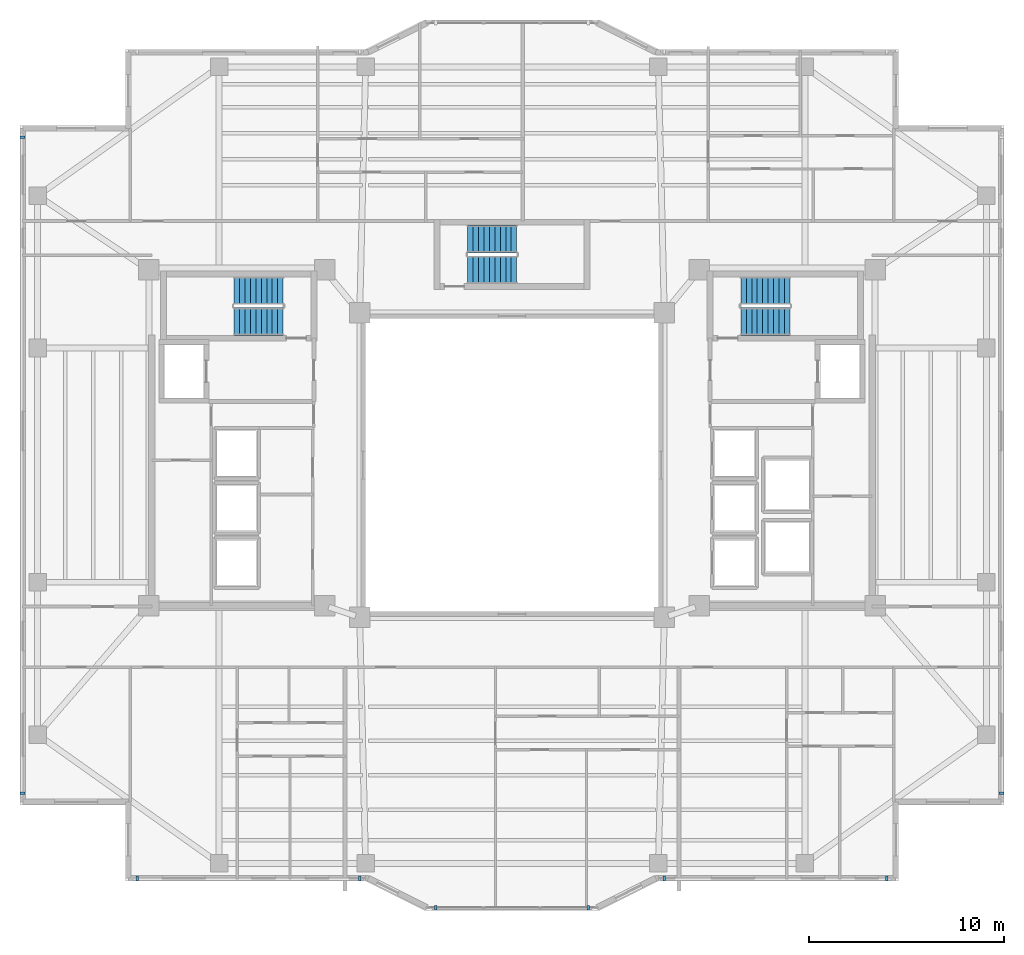
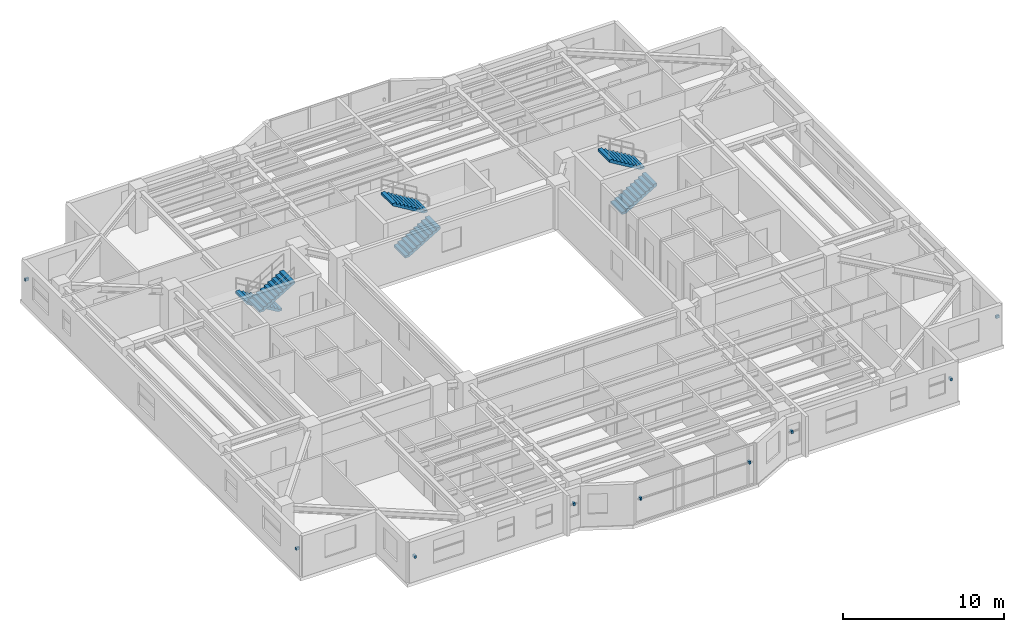
# One storey, part 11 of 15: 9 discrete accessories, 6 stair flights, 3 elements without a shape of their own.
"""IFC4 building model written with IfcOpenShell, lengths in metres."""

from ifc_helpers import new_model, si_unit, direction, frame, origin, origin_2d, place, context, subcontext, project, spatial, polyline, rectangle, outline, extrude, material, type_object, element, aggregate, save


model = new_model("IFC4")

# Units and contexts
model_context = context("Model", 3, precision=1e-05, world=origin(), true_north=direction((0.0, 1.0)))
body_context = subcontext(model_context, "Body", "Model", "MODEL_VIEW")
ifc_project = project(units=[si_unit("LENGTHUNIT", "METRE"), si_unit("AREAUNIT", "SQUARE_METRE"), si_unit("VOLUMEUNIT", "CUBIC_METRE"), si_unit("PLANEANGLEUNIT", "RADIAN"), si_unit("MASSUNIT", "GRAM", prefix="KILO")], contexts=[model_context])

# Site, building, storey
site_placement = place(None, origin())
site = spatial("IfcSite", under=ifc_project, at=site_placement, CompositionType="ELEMENT")
building_placement = place(site_placement, origin())
building = spatial("IfcBuilding", under=site, at=building_placement, Name="Tarnavaz Court Tower", CompositionType="ELEMENT")
storey_placement = place(building_placement, frame((0.0, 0.0, 159.39990234375)))
storey = spatial("IfcBuildingStorey", under=building, at=storey_placement, Name="L43", CompositionType="ELEMENT", Elevation=159.39990234375)

# Stair, stair flights
ifc_material_1 = material(Name="Concrete C40/50", Category="concrete")
stair_type = type_object("IfcStairType", Name="ST-TWR-20R", PredefinedType="HALF_TURN_STAIR", material=ifc_material_1)
stair_1_placement = place(storey_placement, origin())
stair_1 = element("IfcStair", 1, at=stair_1_placement, inside=storey, type_object=stair_type, Name="L43 West Core Pressurized Exit Stair ST-W1", PredefinedType="HALF_TURN_STAIR")
stair_flight_type = type_object("IfcStairFlightType", Name="SFL-RC-20R", PredefinedType="STRAIGHT", material=ifc_material_1)
stair_flight_1_placement = place(storey_placement, frame((-11.719970703125, 8.929931640625, 0.0), z_axis=(0.0, 0.0, 1.0), x_axis=(-1.0, 0.0, 0.0)))
stair_flight_1 = element("IfcStairFlight", 2, at=stair_flight_1_placement, type_object=stair_flight_type, Name="ST-W1 flight 1", NumberOfRisers=10, NumberOfTreads=9, PredefinedType="STRAIGHT", RiserHeight=0.1675, TreadLength=0.28, context=body_context, shape_type="SweptSolid", body=[
    extrude(outline(polyline([(0.0, 0.0), (0.0, 0.16748046875), (0.280029296875, 0.16748046875), (0.280029296875, 0.3349609375), (0.56005859375, 0.3349609375), (0.56005859375, 0.50244140625), (0.840087890625, 0.50244140625), (0.840087890625, 0.669921875), (1.1201171875, 0.669921875), (1.1201171875, 0.83740234375), (1.39990234375, 0.83740234375), (1.39990234375, 1.0048828125), (1.679931640625, 1.0048828125), (1.679931640625, 1.172607421875), (1.9599609375, 1.172607421875), (1.9599609375, 1.340087890625), (2.239990234375, 1.340087890625), (2.239990234375, 1.507568359375), (2.52001953125, 1.507568359375), (2.52001953125, 1.675048828125), (2.52001953125, 1.332763671875), (0.2919921875, 0.0), (0.0, 0.0)])), frame((0.0, 0.7099609375, 0.0), z_axis=(0.0, -1.0, 0.0), x_axis=(1.0, 0.0, 0.0)), (0.0, 0.0, 1.0), 1.419921875),
])
stair_flight_2_placement = place(storey_placement, frame((-14.239990234375, 7.360107421875, 1.675048828125), z_axis=(0.0, 0.0, 1.0), x_axis=(1.0, 0.0, 0.0)))
stair_flight_2 = element("IfcStairFlight", 3, at=stair_flight_2_placement, type_object=stair_flight_type, Name="ST-W1 flight 2", NumberOfRisers=10, NumberOfTreads=9, PredefinedType="STRAIGHT", RiserHeight=0.1675, TreadLength=0.28, context=body_context, shape_type="SweptSolid", body=[
    extrude(outline(polyline([(0.0, 0.0), (0.0, 0.16748046875), (0.280029296875, 0.16748046875), (0.280029296875, 0.3349609375), (0.56005859375, 0.3349609375), (0.56005859375, 0.50244140625), (0.840087890625, 0.50244140625), (0.840087890625, 0.669921875), (1.1201171875, 0.669921875), (1.1201171875, 0.83740234375), (1.39990234375, 0.83740234375), (1.39990234375, 1.0048828125), (1.679931640625, 1.0048828125), (1.679931640625, 1.172607421875), (1.9599609375, 1.172607421875), (1.9599609375, 1.340087890625), (2.239990234375, 1.340087890625), (2.239990234375, 1.507568359375), (2.52001953125, 1.507568359375), (2.52001953125, 1.675048828125), (2.52001953125, 1.332763671875), (0.2919921875, 0.0), (0.0, 0.0)])), frame((0.0, 0.7099609375, 0.0), z_axis=(0.0, -1.0, 0.0), x_axis=(1.0, 0.0, 0.0)), (0.0, 0.0, 1.0), 1.419921875),
])
aggregate(stair_1, [stair_flight_1, stair_flight_2])

stair_2_placement = place(storey_placement, origin())
stair_2 = element("IfcStair", 4, at=stair_2_placement, inside=storey, type_object=stair_type, Name="L43 East Core Pressurized Exit Stair ST-E1", PredefinedType="HALF_TURN_STAIR")
stair_flight_3_placement = place(storey_placement, frame((11.719970703125, 7.360107421875, 0.0), z_axis=(0.0, 0.0, 1.0), x_axis=(1.0, 0.0, 0.0)))
stair_flight_3 = element("IfcStairFlight", 5, at=stair_flight_3_placement, type_object=stair_flight_type, Name="ST-E1 flight 1", NumberOfRisers=10, NumberOfTreads=9, PredefinedType="STRAIGHT", RiserHeight=0.1675, TreadLength=0.28, context=body_context, shape_type="SweptSolid", body=[
    extrude(outline(polyline([(0.0, 0.0), (0.0, 0.16748046875), (0.280029296875, 0.16748046875), (0.280029296875, 0.3349609375), (0.56005859375, 0.3349609375), (0.56005859375, 0.50244140625), (0.840087890625, 0.50244140625), (0.840087890625, 0.669921875), (1.1201171875, 0.669921875), (1.1201171875, 0.83740234375), (1.39990234375, 0.83740234375), (1.39990234375, 1.0048828125), (1.679931640625, 1.0048828125), (1.679931640625, 1.172607421875), (1.9599609375, 1.172607421875), (1.9599609375, 1.340087890625), (2.239990234375, 1.340087890625), (2.239990234375, 1.507568359375), (2.52001953125, 1.507568359375), (2.52001953125, 1.675048828125), (2.52001953125, 1.332763671875), (0.2919921875, 0.0), (0.0, 0.0)])), frame((0.0, 0.7099609375, 0.0), z_axis=(0.0, -1.0, 0.0), x_axis=(1.0, 0.0, 0.0)), (0.0, 0.0, 1.0), 1.419921875),
])
stair_flight_4_placement = place(storey_placement, frame((14.239990234375, 8.929931640625, 1.675048828125), z_axis=(0.0, 0.0, 1.0), x_axis=(-1.0, 0.0, 0.0)))
stair_flight_4 = element("IfcStairFlight", 6, at=stair_flight_4_placement, type_object=stair_flight_type, Name="ST-E1 flight 2", NumberOfRisers=10, NumberOfTreads=9, PredefinedType="STRAIGHT", RiserHeight=0.1675, TreadLength=0.28, context=body_context, shape_type="SweptSolid", body=[
    extrude(outline(polyline([(0.0, 0.0), (0.0, 0.16748046875), (0.280029296875, 0.16748046875), (0.280029296875, 0.3349609375), (0.56005859375, 0.3349609375), (0.56005859375, 0.50244140625), (0.840087890625, 0.50244140625), (0.840087890625, 0.669921875), (1.1201171875, 0.669921875), (1.1201171875, 0.83740234375), (1.39990234375, 0.83740234375), (1.39990234375, 1.0048828125), (1.679931640625, 1.0048828125), (1.679931640625, 1.172607421875), (1.9599609375, 1.172607421875), (1.9599609375, 1.340087890625), (2.239990234375, 1.340087890625), (2.239990234375, 1.507568359375), (2.52001953125, 1.507568359375), (2.52001953125, 1.675048828125), (2.52001953125, 1.332763671875), (0.2919921875, 0.0), (0.0, 0.0)])), frame((0.0, 0.7099609375, 0.0), z_axis=(0.0, -1.0, 0.0), x_axis=(1.0, 0.0, 0.0)), (0.0, 0.0, 1.0), 1.419921875),
])
aggregate(stair_2, [stair_flight_3, stair_flight_4])

stair_3_placement = place(storey_placement, origin())
stair_3 = element("IfcStair", 7, at=stair_3_placement, inside=storey, type_object=stair_type, Name="L43 North Ring Pressurized Exit Stair ST-N1", PredefinedType="HALF_TURN_STAIR")
stair_flight_5_placement = place(storey_placement, frame((-2.280029296875, 10.010009765625, 0.0), z_axis=(0.0, 0.0, 1.0), x_axis=(1.0, 0.0, 0.0)))
stair_flight_5 = element("IfcStairFlight", 8, at=stair_flight_5_placement, type_object=stair_flight_type, Name="ST-N1 flight 1", NumberOfRisers=10, NumberOfTreads=9, PredefinedType="STRAIGHT", RiserHeight=0.1675, TreadLength=0.28, context=body_context, shape_type="SweptSolid", body=[
    extrude(outline(polyline([(0.0, 0.0), (0.0, 0.16748046875), (0.280029296875, 0.16748046875), (0.280029296875, 0.3349609375), (0.56005859375, 0.3349609375), (0.56005859375, 0.50244140625), (0.840087890625, 0.50244140625), (0.840087890625, 0.669921875), (1.1201171875, 0.669921875), (1.1201171875, 0.83740234375), (1.39990234375, 0.83740234375), (1.39990234375, 1.0048828125), (1.679931640625, 1.0048828125), (1.679931640625, 1.172607421875), (1.9599609375, 1.172607421875), (1.9599609375, 1.340087890625), (2.239990234375, 1.340087890625), (2.239990234375, 1.507568359375), (2.52001953125, 1.507568359375), (2.52001953125, 1.675048828125), (2.52001953125, 1.332763671875), (0.2919921875, 0.0), (0.0, 0.0)])), frame((0.0, 0.7099609375, 0.0), z_axis=(0.0, -1.0, 0.0), x_axis=(1.0, 0.0, 0.0)), (0.0, 0.0, 1.0), 1.419921875),
])
stair_flight_6_placement = place(storey_placement, frame((0.239990234375, 11.580078125, 1.675048828125), z_axis=(0.0, 0.0, 1.0), x_axis=(-1.0, 0.0, 0.0)))
stair_flight_6 = element("IfcStairFlight", 9, at=stair_flight_6_placement, type_object=stair_flight_type, Name="ST-N1 flight 2", NumberOfRisers=10, NumberOfTreads=9, PredefinedType="STRAIGHT", RiserHeight=0.1675, TreadLength=0.28, context=body_context, shape_type="SweptSolid", body=[
    extrude(outline(polyline([(0.0, 0.0), (0.0, 0.16748046875), (0.280029296875, 0.16748046875), (0.280029296875, 0.3349609375), (0.56005859375, 0.3349609375), (0.56005859375, 0.50244140625), (0.840087890625, 0.50244140625), (0.840087890625, 0.669921875), (1.1201171875, 0.669921875), (1.1201171875, 0.83740234375), (1.39990234375, 0.83740234375), (1.39990234375, 1.0048828125), (1.679931640625, 1.0048828125), (1.679931640625, 1.172607421875), (1.9599609375, 1.172607421875), (1.9599609375, 1.340087890625), (2.239990234375, 1.340087890625), (2.239990234375, 1.507568359375), (2.52001953125, 1.507568359375), (2.52001953125, 1.675048828125), (2.52001953125, 1.332763671875), (0.2919921875, 0.0), (0.0, 0.0)])), frame((0.0, 0.7099609375, 0.0), z_axis=(0.0, -1.0, 0.0), x_axis=(1.0, 0.0, 0.0)), (0.0, 0.0, 1.0), 1.419921875),
])
aggregate(stair_3, [stair_flight_5, stair_flight_6])

# Discrete accessories
ifc_material_2 = material(Name="Anodised Aluminium 6063-T6", Category="aluminium")
discrete_accessory_type = type_object("IfcDiscreteAccessoryType", Name="DA-BRKT-ALU", PredefinedType="BRACKET", material=ifc_material_2)
for number, where, z_axis, x_axis, name in (
    (10, (-25.070068359375, -16.800048828125, 1.75), (0.0, 0.0, 1.0), (0.0, 1.0, 0.0), "L43 Baguette Outrigger Bracket FBG02-1"),
    (11, (-25.070068359375, 16.800048828125, 1.75), (0.0, 0.0, 1.0), (0.0, 1.0, 0.0), "L43 Baguette Outrigger Bracket FBG02-2"),
    (12, (25.070068359375, -16.800048828125, 1.75), (0.0, 0.0, 1.0), (0.0, -1.0, 0.0), "L43 Baguette Outrigger Bracket FBG12-2"),
    (13, (19.199951171875, -21.169921875, 1.75), (0.0, 0.0, 1.0), (-1.0, 0.0, 0.0), "L43 Baguette Outrigger Bracket FBG15-1"),
    (14, (7.800048828125, -21.169921875, 1.75), (0.0, 0.0, 1.0), (-1.0, 0.0, 0.0), "L43 Baguette Outrigger Bracket FBG15-2"),
    (15, (3.89990234375, -22.669921875, 1.7001953125), (0.0, 0.0, 1.0), (-1.0, 0.0, 0.0), "L43 Baguette Outrigger Bracket PBG17-1"),
    (16, (-3.89990234375, -22.669921875, 1.7001953125), (0.0, 0.0, 1.0), (-1.0, 0.0, 0.0), "L43 Baguette Outrigger Bracket PBG17-2"),
    (17, (-7.800048828125, -21.169921875, 1.75), (0.0, 0.0, 1.0), (-1.0, 0.0, 0.0), "L43 Baguette Outrigger Bracket FBG19-1"),
    (18, (-19.199951171875, -21.169921875, 1.75), (0.0, 0.0, 1.0), (-1.0, 0.0, 0.0), "L43 Baguette Outrigger Bracket FBG19-2"),
):
    element("IfcDiscreteAccessory", number, at=place(storey_placement, frame(where, z_axis=z_axis, x_axis=x_axis)), inside=storey, type_object=discrete_accessory_type, Name=name, PredefinedType="BRACKET", context=body_context, shape_type="SweptSolid", body=[
        extrude(rectangle(XDim=0.139892578125, YDim=0.239990234375, at=origin_2d()), origin(), (0.0, 0.0, 1.0), 0.199951171875),
    ])

save(model, "model.ifc")
